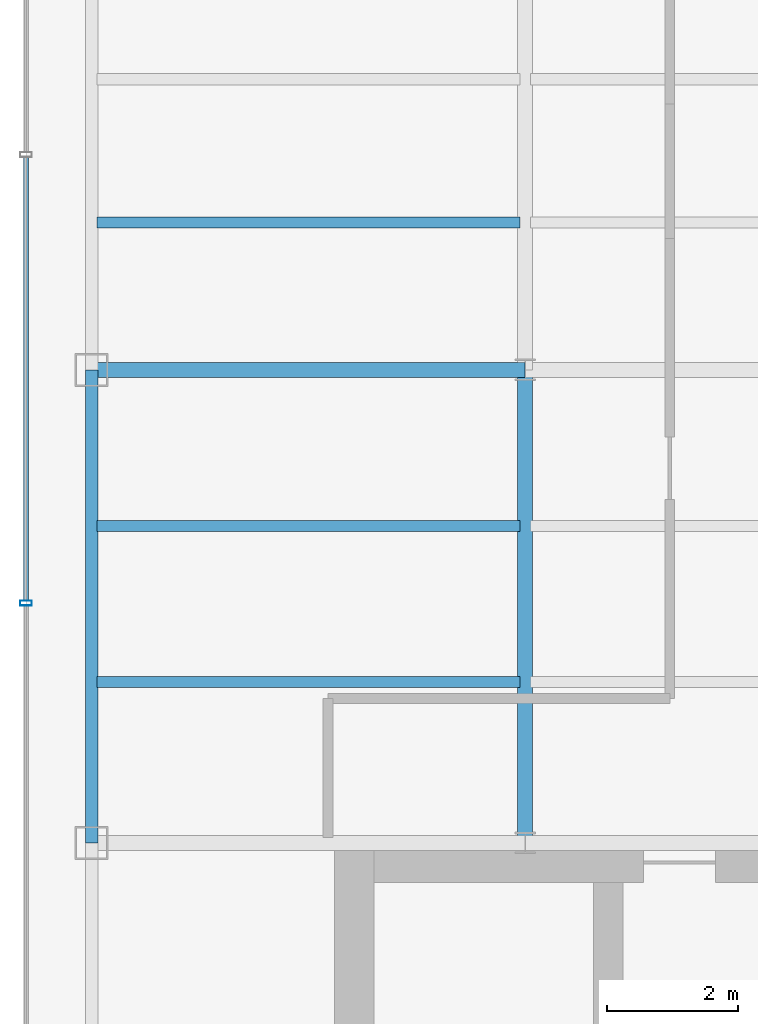
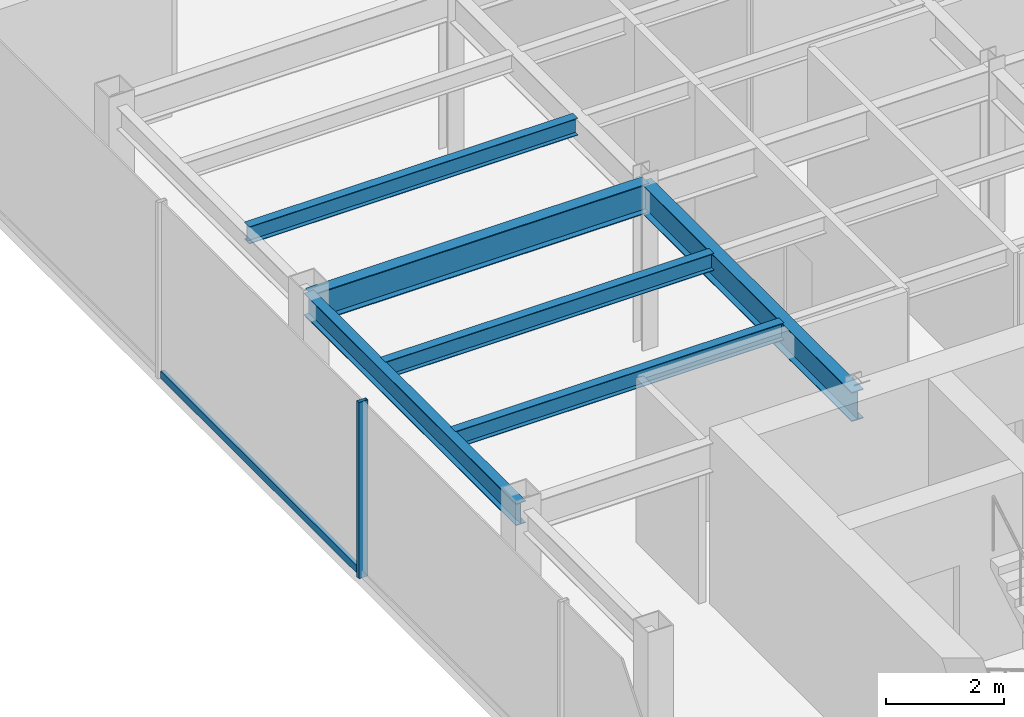
# One storey, part 5 of 21: 6 beams, 2 members, 1 element without a shape of its own.
"""IFC4 building model written with IfcOpenShell, lengths in metres."""

import ifcopenshell
import ifcopenshell.guid

model = None  # the IFC model being written
_history = None  # IfcOwnerHistory: only IFC2X3 demands one
_inside = {}  # id of a spatial element -> (the spatial element, [elements in it])
_under = {}  # id of a project, library or spatial element -> (it, [spatial elements below it])
_declared = {}  # id of a project -> (the project, [libraries it declares])
_typed = {}  # id of a type object -> (the type object, [elements of that type])
_made_of = {}  # id of a material, layer set ... -> (it, [elements and type objects made of it])


def new_model(schema):
    """Start an empty IFC model of exactly this schema.

    Asked for "IFC4X3", IfcOpenShell would pick the latest addendum, in which some entities
    have other attributes; the version numbers below select the first issue.
    IFC2X3 requires an IfcOwnerHistory on every rooted entity: one is made here for all.
    """
    global model, _history
    if schema == "IFC4X3":
        model = ifcopenshell.file(schema_version=(4, 3, 0, 0))
    else:
        model = ifcopenshell.file(schema=schema)
    _inside.clear()
    _under.clear()
    _declared.clear()
    _typed.clear()
    _made_of.clear()
    _history = None
    if model.schema == "IFC2X3":
        org = make("IfcOrganization", Name="unknown")
        user = make(
            "IfcPersonAndOrganization",
            ThePerson=make("IfcPerson", FamilyName="unknown"),
            TheOrganization=org,
        )
        app = make(
            "IfcApplication",
            ApplicationDeveloper=org,
            Version="unknown",
            ApplicationFullName="unknown",
            ApplicationIdentifier="unknown",
        )
        _history = make(
            "IfcOwnerHistory",
            OwningUser=user,
            OwningApplication=app,
            ChangeAction="ADDED",
            CreationDate=0,
        )
    return model


def make(cls, **values):
    """One entity of the class cls with the attributes given. An attribute that is None is left unset."""
    return model.create_entity(
        cls, **{name: value for name, value in values.items() if value is not None}
    )


def rooted(cls, **values):
    """An entity with a GlobalId (a new one), such as an element, a storey or a relation."""
    return make(cls, GlobalId=ifcopenshell.guid.new(), OwnerHistory=_history, **values)


def si_unit(unit_type, name, prefix=None):
    """IfcSIUnit, for example si_unit("LENGTHUNIT", "METRE", prefix="MILLI")."""
    return make("IfcSIUnit", UnitType=unit_type, Prefix=prefix, Name=name)


def derived_unit(unit_type, elements):
    """IfcDerivedUnit: a product of units, each with its exponent."""
    return make(
        "IfcDerivedUnit",
        Elements=[
            make("IfcDerivedUnitElement", Unit=unit, Exponent=power)
            for unit, power in elements
        ],
        UnitType=unit_type,
    )


def assignment(units):
    """IfcUnitAssignment: the units of a project."""
    return None if units is None else make("IfcUnitAssignment", Units=units)


def point(xyz):
    """IfcCartesianPoint."""
    return None if xyz is None else make("IfcCartesianPoint", Coordinates=xyz)


def direction(xyz):
    """IfcDirection."""
    return None if xyz is None else make("IfcDirection", DirectionRatios=xyz)


def frame(location, z_axis=None, x_axis=None):
    """IfcAxis2Placement3D, a coordinate frame: its origin and axes. An axis left out is left unset."""
    return make(
        "IfcAxis2Placement3D",
        Location=point(location),
        Axis=direction(z_axis),
        RefDirection=direction(x_axis),
    )


def frame_2d(location, x_axis=None):
    """IfcAxis2Placement2D, a coordinate frame in the plane: its origin and x axis."""
    return make(
        "IfcAxis2Placement2D", Location=point(location), RefDirection=direction(x_axis)
    )


def origin():
    """The frame at (0, 0, 0) with its axes left unset."""
    return frame((0.0, 0.0, 0.0))


def origin_2d():
    """The frame at (0, 0) in the plane with its x axis left unset."""
    return frame_2d((0.0, 0.0))


def place(relative_to, where):
    """IfcLocalPlacement: puts the frame where relative to a parent placement (None: the world)."""
    return make(
        "IfcLocalPlacement", PlacementRelTo=relative_to, RelativePlacement=where
    )


def context(
    kind, dimensions, precision=None, world=None, true_north=None, identifier=None
):
    """IfcGeometricRepresentationContext, for example the 3D "Model" context."""
    return make(
        "IfcGeometricRepresentationContext",
        ContextIdentifier=identifier,
        ContextType=kind,
        CoordinateSpaceDimension=dimensions,
        Precision=precision,
        WorldCoordinateSystem=world,
        TrueNorth=true_north,
    )


def subcontext(parent, identifier, kind, view, scale=None):
    """IfcGeometricRepresentationSubContext, for example "Body" below "Model"."""
    return make(
        "IfcGeometricRepresentationSubContext",
        ContextIdentifier=identifier,
        ContextType=kind,
        ParentContext=parent,
        TargetScale=scale,
        TargetView=view,
    )


def project(units=None, contexts=None):
    """IfcProject with its units and contexts."""
    return rooted(
        "IfcProject",
        Name="project",
        RepresentationContexts=contexts,
        UnitsInContext=assignment(units),
    )


def spatial(cls, under=None, at=None, **own):
    """A site, building, storey or space (cls), placed at a placement, below another one or the project."""
    s = rooted(cls, ObjectPlacement=at, **own)
    if under is not None:
        _under.setdefault(under.id(), (under, []))[1].append(s)
    return s


def profile(cls, at=None, kind="AREA", **sizes):
    """A parametric profile (cls). Its sizes go by their IFC names, for example OverallWidth=200.0."""
    return make(cls, ProfileType=kind, Position=at, **sizes)


def hollow_rectangle(**sizes):
    """IfcRectangleHollowProfileDef."""
    return profile("IfcRectangleHollowProfileDef", **sizes)


def i_section(**sizes):
    """IfcIShapeProfileDef."""
    return profile("IfcIShapeProfileDef", **sizes)


def extrude(swept, where, along, depth):
    """IfcExtrudedAreaSolid: the profile swept, set in the frame where, extruded along a direction by depth."""
    return make(
        "IfcExtrudedAreaSolid",
        SweptArea=swept,
        Position=where,
        ExtrudedDirection=direction(along),
        Depth=depth,
    )


def shape(context_of_items, identifier, shape_type, items):
    """IfcShapeRepresentation: the items that make up one representation, for example the "Body"."""
    return make(
        "IfcShapeRepresentation",
        ContextOfItems=context_of_items,
        RepresentationIdentifier=identifier,
        RepresentationType=shape_type,
        Items=items,
    )


def source(mapping_origin, context_of_items, identifier, shape_type, items):
    """IfcRepresentationMap: a shape defined once, which mapped items show again and again."""
    return make(
        "IfcRepresentationMap",
        MappingOrigin=mapping_origin,
        MappedRepresentation=shape(context_of_items, identifier, shape_type, items),
    )


def transform(
    local_origin,
    x_axis=None,
    y_axis=None,
    z_axis=None,
    scale=None,
    scale2=None,
    scale3=None,
    uniform=True,
):
    """IfcCartesianTransformationOperator3D, or its non-uniform kind. x_axis, y_axis, z_axis: its Axis1, 2, 3."""
    if uniform:
        return make(
            "IfcCartesianTransformationOperator3D",
            Axis1=direction(x_axis),
            Axis2=direction(y_axis),
            LocalOrigin=point(local_origin),
            Scale=scale,
            Axis3=direction(z_axis),
        )
    return make(
        "IfcCartesianTransformationOperator3DnonUniform",
        Axis1=direction(x_axis),
        Axis2=direction(y_axis),
        LocalOrigin=point(local_origin),
        Scale=scale,
        Axis3=direction(z_axis),
        Scale2=scale2,
        Scale3=scale3,
    )


def mapped(mapping_source, mapping_target):
    """IfcMappedItem: shows the shape of a source again, moved by a transform."""
    return make(
        "IfcMappedItem", MappingSource=mapping_source, MappingTarget=mapping_target
    )


def material(Name=None, Category=None):
    """IfcMaterial."""
    return make("IfcMaterial", Name=Name, Category=Category)


def material_profile(
    of_material, cross_section, Name=None, Category=None, Priority=None
):
    """IfcMaterialProfile: a cross section and its material."""
    return make(
        "IfcMaterialProfile",
        Name=Name,
        Material=of_material,
        Profile=cross_section,
        Priority=Priority,
        Category=Category,
    )


def profile_set(profiles, Name=None, composite=None):
    """IfcMaterialProfileSet."""
    return make(
        "IfcMaterialProfileSet",
        Name=Name,
        MaterialProfiles=profiles,
        CompositeProfile=composite,
    )


def made_of(thing, what):
    """Note that an element or type object is made of a material, layer set ...; save() writes the relation."""
    if what is not None:
        _made_of.setdefault(what.id(), (what, []))[1].append(thing)
    return thing


def type_object(cls, material=None, **own):
    """A type object (cls), such as IfcWallType, which elements share."""
    return made_of(rooted(cls, **own), material)


def element(
    cls,
    number,
    at=None,
    inside=None,
    cuts=None,
    type_object=None,
    material=None,
    context=None,
    identifier="Body",
    shape_type=None,
    held_by="IfcProductDefinitionShape",
    body=None,
    shapes=None,
    **own,
):
    """One element of the class cls, such as IfcWall. Its Tag is "e" and its number.

    at: its placement. inside: the storey or other place that contains it. cuts: it is an
    opening in that element (IfcRelVoidsElement). A single representation is given by context,
    identifier, shape_type and body (its items); several are given by shapes. held_by: the class
    of the entity that holds the representations. save() writes the other relations.
    """
    e = rooted(cls, Tag="e%d" % number, ObjectPlacement=at, **own)
    if body is not None:
        shapes = [shape(context, identifier, shape_type, body)]
    if shapes is not None:
        e.Representation = make(held_by, Representations=shapes)
    if inside is not None:
        _inside.setdefault(inside.id(), (inside, []))[1].append(e)
    if cuts is not None:
        rooted(
            "IfcRelVoidsElement", RelatingBuildingElement=cuts, RelatedOpeningElement=e
        )
    if type_object is not None:
        _typed.setdefault(type_object.id(), (type_object, []))[1].append(e)
    return made_of(e, material)


def aggregate(whole, parts):
    """IfcRelAggregates: a whole, such as a stair, and the parts it consists of."""
    return rooted("IfcRelAggregates", RelatingObject=whole, RelatedObjects=parts)


def save(model, path):
    """Write the relations noted so far, then the file.

    IfcRelAggregates (storeys below a building ...), IfcRelContainedInSpatialStructure (elements
    in a storey), IfcRelDefinesByType, IfcRelAssociatesMaterial and IfcRelDeclares: one each for
    every whole, place, type object, material and project.
    """
    for whole, parts in _under.values():
        aggregate(whole, parts)
    for where, things in _inside.values():
        rooted(
            "IfcRelContainedInSpatialStructure",
            RelatedElements=things,
            RelatingStructure=where,
        )
    for kind, things in _typed.values():
        rooted("IfcRelDefinesByType", RelatedObjects=things, RelatingType=kind)
    for what, things in _made_of.values():
        rooted("IfcRelAssociatesMaterial", RelatedObjects=things, RelatingMaterial=what)
    for by, libraries in _declared.values():
        rooted("IfcRelDeclares", RelatingContext=by, RelatedDefinitions=libraries)
    model.write(path)


model = new_model("IFC4")

# Units and contexts
model_context = context("Model", 3, precision=1e-05, world=origin(), true_north=direction((0.0, 1.0)))
body_context = subcontext(model_context, "Body", "Model", "MODEL_VIEW")
ifc_project = project(units=[si_unit("LENGTHUNIT", "METRE"), si_unit("AREAUNIT", "SQUARE_METRE"), si_unit("VOLUMEUNIT", "CUBIC_METRE"), si_unit("PLANEANGLEUNIT", "RADIAN"), si_unit("MASSUNIT", "GRAM", prefix="KILO"), derived_unit("THERMALTRANSMITTANCEUNIT", [(si_unit("POWERUNIT", "WATT"), 1), (si_unit("LENGTHUNIT", "METRE"), -2), (si_unit("THERMODYNAMICTEMPERATUREUNIT", "KELVIN"), -1)])], contexts=[model_context])

# Site, building, storey
site_placement = place(None, origin())
site = spatial("IfcSite", under=ifc_project, at=site_placement, CompositionType="ELEMENT")
building_placement = place(site_placement, origin())
building = spatial("IfcBuilding", under=site, at=building_placement, Name="Skarnbrae Concourse Arena and Tower", CompositionType="ELEMENT")
storey_placement = place(building_placement, frame((0.0, 0.0, 188.60009765625)))
storey = spatial("IfcBuildingStorey", under=building, at=storey_placement, Name="L48", CompositionType="ELEMENT", Elevation=188.60009765625)

# Beams
ifc_material_1 = material(Name="Steel CSA G40.21 350W", Category="steel")
ifc_material_profile_1 = material_profile(ifc_material_1, i_section(OverallWidth=0.22802734375, OverallDepth=0.60791015625, WebThickness=0.01123046875, FlangeThickness=0.017333984375, at=origin_2d()), Name="W610X113")
ifc_profile_set_1 = profile_set([ifc_material_profile_1], Name="Steel CSA G40.21 350W")
beam_type_1 = type_object("IfcBeamType", Name="BM-GIRD-W610X113", PredefinedType="BEAM", material=ifc_profile_set_1)
shared_shape_1 = source(origin(), body_context, "Body", "SweptSolid", [
    extrude(i_section(OverallWidth=0.22802734375, OverallDepth=0.60791015625, WebThickness=0.01123046875, FlangeThickness=0.017333984375, at=origin_2d()), origin(), (0.0, 0.0, 1.0), 6.60009765625),
])
beam_1_placement = place(storey_placement, frame((1.0, 21.199951171875, 3.095947265625), z_axis=(1.0, 0.0, 0.0), x_axis=(0.0, 1.0, 0.0)))
element("IfcBeam", 1, at=beam_1_placement, inside=storey, type_object=beam_type_1, Name="L48 Primary E-W girder Y21.2-1", PredefinedType="BEAM", context=body_context, shape_type="MappedRepresentation", body=[
    mapped(shared_shape_1, transform((0.0, 0.0, 0.0))),
])
ifc_material_profile_2 = material_profile(ifc_material_1, i_section(OverallWidth=0.19091796875, OverallDepth=0.4599609375, WebThickness=0.010009765625, FlangeThickness=0.01611328125, at=origin_2d()), Name="W460X82")
ifc_profile_set_2 = profile_set([ifc_material_profile_2], Name="Steel CSA G40.21 350W")
beam_type_2 = type_object("IfcBeamType", Name="BM-SPAN-W460X82", PredefinedType="SPANDREL", material=ifc_profile_set_2)
shared_shape_2 = source(origin(), body_context, "Body", "SweptSolid", [
    extrude(i_section(OverallWidth=0.19091796875, OverallDepth=0.4599609375, WebThickness=0.010009765625, FlangeThickness=0.01611328125, at=origin_2d()), origin(), (0.0, 0.0, 1.0), 7.199951171875),
])
beam_2_placement = place(storey_placement, frame((1.0, 14.0, 3.169921875), z_axis=(0.0, 1.0, 0.0), x_axis=(-1.0, 0.0, 0.0)))
element("IfcBeam", 2, at=beam_2_placement, inside=storey, type_object=beam_type_2, Name="L48 Perimeter spandrel X1.0-2", PredefinedType="SPANDREL", context=body_context, shape_type="MappedRepresentation", body=[
    mapped(shared_shape_2, transform((0.0, 0.0, 0.0))),
])
shared_shape_3 = source(origin(), body_context, "Body", "SweptSolid", [
    extrude(i_section(OverallWidth=0.22802734375, OverallDepth=0.60791015625, WebThickness=0.01123046875, FlangeThickness=0.017333984375, at=origin_2d()), origin(), (0.0, 0.0, 1.0), 7.199951171875),
])
beam_3_placement = place(storey_placement, frame((7.60009765625, 14.0, 3.095947265625), z_axis=(0.0, 1.0, 0.0), x_axis=(-1.0, 0.0, 0.0)))
element("IfcBeam", 3, at=beam_3_placement, inside=storey, type_object=beam_type_1, Name="L48 Primary N-S girder X7.6-1", PredefinedType="BEAM", context=body_context, shape_type="MappedRepresentation", body=[
    mapped(shared_shape_3, transform((0.0, 0.0, 0.0))),
])
ifc_material_profile_3 = material_profile(ifc_material_1, i_section(OverallWidth=0.1708984375, OverallDepth=0.35498046875, WebThickness=0.007080078125, FlangeThickness=0.01171875, at=origin_2d()), Name="W360X51")
ifc_profile_set_3 = profile_set([ifc_material_profile_3], Name="Steel CSA G40.21 350W")
beam_type_3 = type_object("IfcBeamType", Name="BM-JOIST-W360X51", PredefinedType="JOIST", material=ifc_profile_set_3)
shared_shape_4 = source(origin(), body_context, "Body", "SweptSolid", [
    extrude(i_section(OverallWidth=0.1708984375, OverallDepth=0.35498046875, WebThickness=0.007080078125, FlangeThickness=0.01171875, at=origin_2d()), origin(), (0.0, 0.0, 1.0), 6.43994140625),
])
for number, where, z_axis, x_axis, name in (
    (4, (1.080078125, 16.447998046875, 3.222412109375), (1.0, 0.0, 0.0), (0.0, 1.0, 0.0), "L48 Secondary floor joist 1.1.1"),
    (5, (1.080078125, 18.823974609375, 3.222412109375), (1.0, 0.0, 0.0), (0.0, 1.0, 0.0), "L48 Secondary floor joist 1.2.1"),
    (6, (1.080078125, 23.444091796875, 3.222412109375), (1.0, 0.0, 0.0), (0.0, 1.0, 0.0), "L48 Secondary floor joist 2.1.1"),
):
    element("IfcBeam", number, at=place(storey_placement, frame(where, z_axis=z_axis, x_axis=x_axis)), inside=storey, type_object=beam_type_3, Name=name, PredefinedType="JOIST", context=body_context, shape_type="MappedRepresentation", body=[
        mapped(shared_shape_4, transform((0.0, 0.0, 0.0))),
    ])

# Curtain wall, members
ifc_material_2 = material(Name="Bronze anodised aluminium 6063-T6", Category="aluminium")
curtain_wall_type = type_object("IfcCurtainWallType", Name="CW-SYS-05-HIGHZONE", PredefinedType="USERDEFINED", material=ifc_material_2)
curtain_wall_placement = place(storey_placement, origin())
curtain_wall = element("IfcCurtainWall", 7, at=curtain_wall_placement, inside=storey, type_object=curtain_wall_type, Name="L48 Unitised curtain wall CW-L48-E18", ObjectType="UNITISED CURTAIN WALL", PredefinedType="USERDEFINED")
ifc_material_profile_4 = material_profile(ifc_material_2, hollow_rectangle(XDim=0.074951171875, YDim=0.179931640625, WallThickness=0.00390625, at=origin_2d()), Name="ALU-MULL-75X180")
ifc_profile_set_4 = profile_set([ifc_material_profile_4], Name="Bronze anodised aluminium 6063-T6")
member_type_1 = type_object("IfcMemberType", Name="CWM-CW-05", PredefinedType="MULLION", material=ifc_profile_set_4)
shared_shape_5 = source(origin(), body_context, "Body", "SweptSolid", [
    extrude(hollow_rectangle(XDim=0.074951171875, YDim=0.179931640625, WallThickness=0.00390625, at=origin_2d()), origin(), (0.0, 0.0, 1.0), 3.64990234375),
])
member_1_placement = place(storey_placement, frame((0.0, 17.64990234375, 0.0), z_axis=(0.0, 0.0, 1.0), x_axis=(0.0, -1.0, 0.0)))
member_1 = element("IfcMember", 8, at=member_1_placement, type_object=member_type_1, Name="CW-L48-E18 Mullion 3", PredefinedType="MULLION", context=body_context, shape_type="MappedRepresentation", body=[
    mapped(shared_shape_5, transform((0.0, 0.0, 0.0))),
])
ifc_material_profile_5 = material_profile(ifc_material_2, hollow_rectangle(XDim=0.074951171875, YDim=0.14990234375, WallThickness=0.00390625, at=origin_2d()), Name="ALU-TRAN-75X150")
ifc_profile_set_5 = profile_set([ifc_material_profile_5], Name="Bronze anodised aluminium 6063-T6")
member_type_2 = type_object("IfcMemberType", Name="CWT-CW-05", PredefinedType="USERDEFINED", material=ifc_profile_set_5)
shared_shape_6 = source(origin(), body_context, "Body", "SweptSolid", [
    extrude(hollow_rectangle(XDim=0.074951171875, YDim=0.14990234375, WallThickness=0.00390625, at=origin_2d()), origin(), (0.0, 0.0, 1.0), 6.75),
])
member_2_placement = place(storey_placement, frame((0.0, 24.4375, 0.074951171875), z_axis=(0.0, -1.0, 0.0), x_axis=(1.0, 0.0, 0.0)))
member_2 = element("IfcMember", 9, at=member_2_placement, type_object=member_type_2, Name="CW-L48-E18 Transom 2", ObjectType="TRANSOM", PredefinedType="USERDEFINED", context=body_context, shape_type="MappedRepresentation", body=[
    mapped(shared_shape_6, transform((0.0, 0.0, 0.0))),
])
aggregate(curtain_wall, [member_1, member_2])

save(model, "model.ifc")
